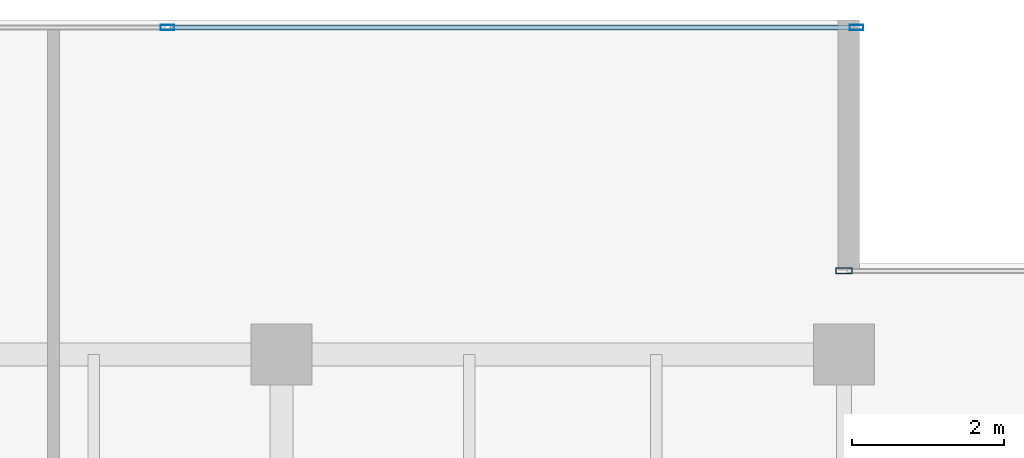
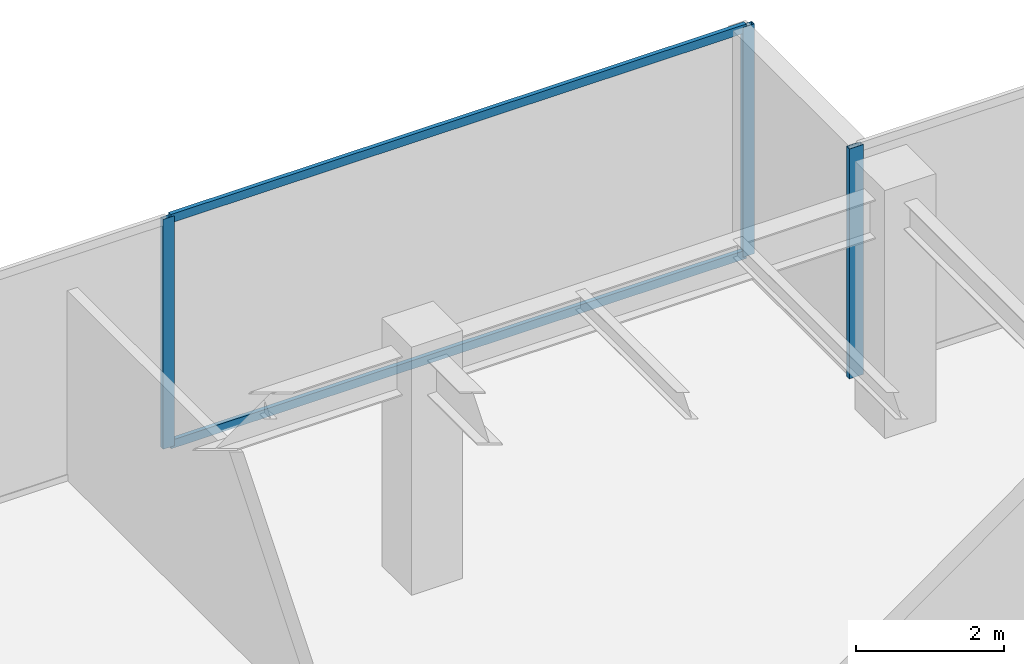
# One storey, part 21 of 33: 5 members, 2 elements without a shape of their own.
"""IFC4 building model written with IfcOpenShell, lengths in metres."""

from ifc_helpers import new_model, si_unit, direction, frame, origin, origin_2d, place, context, subcontext, project, spatial, hollow_rectangle, extrude, source, transform, mapped, material, layer, layer_set, material_profile, profile_set, type_object, type_shapes, element, aggregate, save


model = new_model("IFC4")

# Units and contexts
model_context = context("Model", 3, precision=1e-05, world=origin(), true_north=direction((0.0, 1.0)))
body_context = subcontext(model_context, "Body", "Model", "MODEL_VIEW")
ifc_project = project(units=[si_unit("LENGTHUNIT", "METRE"), si_unit("AREAUNIT", "SQUARE_METRE"), si_unit("VOLUMEUNIT", "CUBIC_METRE"), si_unit("PLANEANGLEUNIT", "RADIAN"), si_unit("MASSUNIT", "GRAM", prefix="KILO")], contexts=[model_context])

# Site, building, storey
site_placement = place(None, origin())
site = spatial("IfcSite", under=ifc_project, at=site_placement, CompositionType="ELEMENT")
building_placement = place(site_placement, origin())
building = spatial("IfcBuilding", under=site, at=building_placement, Name="Haelvirn Gate Laboratories", CompositionType="ELEMENT")
storey_placement = place(building_placement, frame((0.0, 0.0, 213.699951171875)))
storey = spatial("IfcBuildingStorey", under=building, at=storey_placement, Name="L51", CompositionType="ELEMENT", Elevation=213.699951171875)

# Curtain wall, members
ifc_material_1 = material(Name="Anodised bronze unitised aluminium & triple low-E glass", Category="aluminium")
ifc_layer_1 = layer(ifc_material_1, 0.176025390625, Name="CW-SYS-4")
ifc_layer_set_1 = layer_set([ifc_layer_1], Name="Anodised bronze unitised aluminium & triple low-E glass")
curtain_wall_type_1 = type_object("IfcCurtainWallType", Name="CW-SYS-4", PredefinedType="NOTDEFINED", material=ifc_layer_set_1)
curtain_wall_1_placement = place(storey_placement, origin())
curtain_wall_1 = element("IfcCurtainWall", 1, at=curtain_wall_1_placement, inside=storey, type_object=curtain_wall_type_1, Name="L51 Unitised Curtain Wall CW-L51-P0-E10-1", PredefinedType="NOTDEFINED")
ifc_material_2 = material(Name="Extruded aluminium 6063-T6 (anodised bronze)", Category="aluminium")
ifc_material_profile_1 = material_profile(ifc_material_2, hollow_rectangle(XDim=0.06494140625, YDim=0.139892578125, WallThickness=0.00390625, at=origin_2d()), Name="CWT-140x65x4")
ifc_profile_set_1 = profile_set([ifc_material_profile_1], Name="Extruded aluminium 6063-T6 (anodised bronze)")
member_type_1 = type_object("IfcMemberType", Name="CWT-T140", PredefinedType="USERDEFINED", material=ifc_profile_set_1)
shared_shape_1 = source(origin(), body_context, "Body", "SweptSolid", [
    extrude(hollow_rectangle(XDim=0.06494140625, YDim=0.139892578125, WallThickness=0.00390625, at=origin_2d()), origin(), (0.0, 0.0, 1.0), 8.9951171875),
])
type_shapes(member_type_1, [shared_shape_1])
member_1_placement = place(storey_placement, frame((58.534912109375, 45.89990234375, 0.032470703125), z_axis=(1.0, 0.0, 0.0), x_axis=(0.0, 1.0, 0.0)))
member_1 = element("IfcMember", 2, at=member_1_placement, type_object=member_type_1, Name="CW4 transom 2.1", ObjectType="TRANSOM", PredefinedType="USERDEFINED", context=body_context, shape_type="MappedRepresentation", body=[
    mapped(shared_shape_1, transform((0.0, 0.0, 0.0), scale=1.0)),
])
member_2_placement = place(storey_placement, frame((58.534912109375, 45.89990234375, 3.767578125), z_axis=(1.0, 0.0, 0.0), x_axis=(0.0, 1.0, 0.0)))
member_2 = element("IfcMember", 3, at=member_2_placement, type_object=member_type_1, Name="CW4 transom 2.2", ObjectType="TRANSOM", PredefinedType="USERDEFINED", context=body_context, shape_type="MappedRepresentation", body=[
    mapped(shared_shape_1, transform((0.0, 0.0, 0.0), scale=1.0)),
])
ifc_material_profile_2 = material_profile(ifc_material_2, hollow_rectangle(XDim=0.070068359375, YDim=0.179931640625, WallThickness=0.0048828125, at=origin_2d()), Name="CWM-180x70x5")
ifc_profile_set_2 = profile_set([ifc_material_profile_2], Name="Extruded aluminium 6063-T6 (anodised bronze)")
member_type_2 = type_object("IfcMemberType", Name="CWM-T180", PredefinedType="MULLION", material=ifc_profile_set_2)
shared_shape_2 = source(origin(), body_context, "Body", "SweptSolid", [
    extrude(hollow_rectangle(XDim=0.070068359375, YDim=0.179931640625, WallThickness=0.0048828125, at=origin_2d()), origin(), (0.0, 0.0, 1.0), 3.800048828125),
])
type_shapes(member_type_2, [shared_shape_2])
member_3_placement = place(storey_placement, frame((58.5, 45.89990234375, 0.0), z_axis=(0.0, 0.0, 1.0), x_axis=(0.0, 1.0, 0.0)))
member_3 = element("IfcMember", 4, at=member_3_placement, type_object=member_type_2, Name="CW4 mullion 2", PredefinedType="MULLION", context=body_context, shape_type="MappedRepresentation", body=[
    mapped(shared_shape_2, transform((0.0, 0.0, 0.0), scale=1.0)),
])
member_4_placement = place(storey_placement, frame((67.56494140625, 45.89990234375, 0.0), z_axis=(0.0, 0.0, 1.0), x_axis=(0.0, 1.0, 0.0)))
member_4 = element("IfcMember", 5, at=member_4_placement, type_object=member_type_2, Name="CW4 mullion 3", PredefinedType="MULLION", context=body_context, shape_type="MappedRepresentation", body=[
    mapped(shared_shape_2, transform((0.0, 0.0, 0.0), scale=1.0)),
])
aggregate(curtain_wall_1, [member_3, member_4, member_1, member_2])

# Curtain wall, member
ifc_layer_2 = layer(ifc_material_1, 0.181884765625, Name="CW-SYS-5")
ifc_layer_set_2 = layer_set([ifc_layer_2], Name="Anodised bronze unitised aluminium & triple low-E glass")
curtain_wall_type_2 = type_object("IfcCurtainWallType", Name="CW-SYS-5", PredefinedType="NOTDEFINED", material=ifc_layer_set_2)
curtain_wall_2_placement = place(storey_placement, origin())
curtain_wall_2 = element("IfcCurtainWall", 6, at=curtain_wall_2_placement, inside=storey, type_object=curtain_wall_type_2, Name="L51 Unitised Curtain Wall CW-L51-P0-E08-1", PredefinedType="NOTDEFINED")
ifc_material_profile_3 = material_profile(ifc_material_2, hollow_rectangle(XDim=0.080078125, YDim=0.219970703125, WallThickness=0.006103515625, at=origin_2d()), Name="CWM-220x80x6")
ifc_profile_set_3 = profile_set([ifc_material_profile_3], Name="Extruded aluminium 6063-T6 (anodised bronze)")
member_type_3 = type_object("IfcMemberType", Name="CWM-T220", PredefinedType="MULLION", material=ifc_profile_set_3)
shared_shape_3 = source(origin(), body_context, "Body", "SweptSolid", [
    extrude(hollow_rectangle(XDim=0.080078125, YDim=0.219970703125, WallThickness=0.006103515625, at=origin_2d()), origin(), (0.0, 0.0, 1.0), 3.800048828125),
])
type_shapes(member_type_3, [shared_shape_3])
member_5_placement = place(storey_placement, frame((67.39990234375, 42.699951171875, 0.0), z_axis=(0.0, 0.0, 1.0), x_axis=(0.0, 1.0, 0.0)))
member_5 = element("IfcMember", 7, at=member_5_placement, type_object=member_type_3, Name="CW5 mullion 1", PredefinedType="MULLION", context=body_context, shape_type="MappedRepresentation", body=[
    mapped(shared_shape_3, transform((0.0, 0.0, 0.0), scale=1.0)),
])
aggregate(curtain_wall_2, [member_5])

save(model, "model.ifc")
